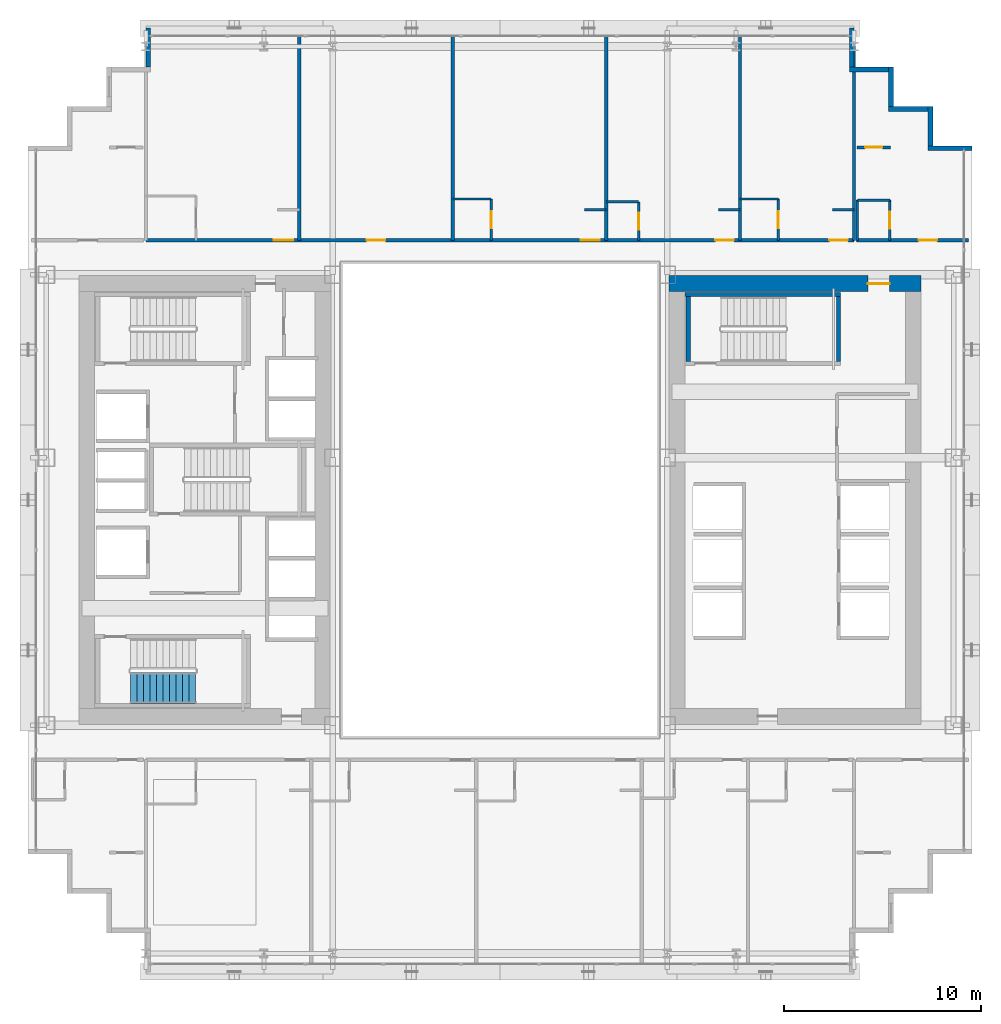
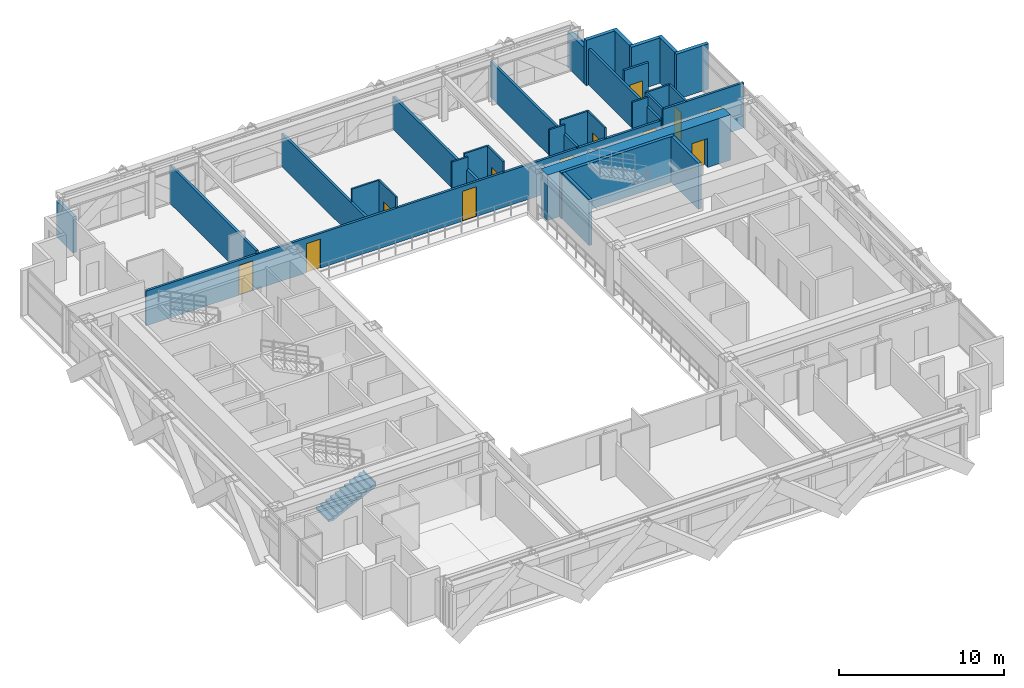
# One storey, part 30 of 35: 31 walls, 12 doors, 1 stair flight, 12 openings, 1 element without a shape of its own.
"""IFC4 building model written with IfcOpenShell, lengths in metres."""

from ifc_helpers import new_model, si_unit, direction, frame, frame_2d, origin, place, context, subcontext, project, spatial, polyline, rectangle, outline, extrude, source, transform, mapped, material, layer, layer_set, type_object, element, fill, aggregate, save


model = new_model("IFC4")

# Units and contexts
model_context = context("Model", 3, precision=1e-05, world=origin(), true_north=direction((0.0, 1.0)))
body_context = subcontext(model_context, "Body", "Model", "MODEL_VIEW")
ifc_project = project(units=[si_unit("LENGTHUNIT", "METRE"), si_unit("AREAUNIT", "SQUARE_METRE"), si_unit("VOLUMEUNIT", "CUBIC_METRE"), si_unit("PLANEANGLEUNIT", "RADIAN"), si_unit("MASSUNIT", "GRAM", prefix="KILO")], contexts=[model_context])

# Site, building, storey
site_placement = place(None, origin())
site = spatial("IfcSite", under=ifc_project, at=site_placement, CompositionType="ELEMENT")
building_placement = place(site_placement, origin())
building = spatial("IfcBuilding", under=site, at=building_placement, Name="Ocotamira Hotel", CompositionType="ELEMENT")
storey_placement = place(building_placement, frame((0.0, 0.0, 56.39990234375)))
storey = spatial("IfcBuildingStorey", under=building, at=storey_placement, Name="L13", CompositionType="ELEMENT", Elevation=56.39990234375)

# Wall, opening, door
ifc_material_1 = material(Name="Concrete C60/75", Category="concrete")
ifc_layer_1 = layer(ifc_material_1, 0.800048828125)
ifc_layer_set_1 = layer_set([ifc_layer_1], Name="Concrete C60/75")
wall_type_1 = type_object("IfcWallType", Name="WL-CORE-800", PredefinedType="SHEAR", material=ifc_layer_set_1)
wall_1_placement = place(storey_placement, frame((40.60009765625, 37.0, 0.0), z_axis=(0.0, 0.0, 1.0), x_axis=(1.0, 0.0, 0.0)))
wall_1 = element("IfcWall", 1, at=wall_1_placement, inside=storey, type_object=wall_type_1, Name="L13 Shear Core Wall ECORE-N", PredefinedType="SHEAR", context=body_context, shape_type="SweptSolid", body=[
    extrude(rectangle(XDim=12.7998046875, YDim=0.800048828125, at=frame_2d((6.39990234375, 0.0))), origin(), (0.0, 0.0, 1.0), 3.35009765625),
])
opening_1_placement = place(wall_1_placement, frame((10.10009765625, 0.0, 0.0)))
opening_1 = element("IfcOpeningElement", 2, at=opening_1_placement, cuts=wall_1, Name="Opening D-FR1", PredefinedType="OPENING", context=body_context, shape_type="SweptSolid", body=[
    extrude(rectangle(XDim=1.10009765625, YDim=2.14990234375, at=frame_2d((0.550048828125, 1.074951171875))), frame((0.0, 0.41015625, 0.0), z_axis=(0.0, -1.0, 0.0), x_axis=(1.0, 0.0, 0.0)), (0.0, 0.0, 1.0), 0.820068359375),
])
ifc_material_2 = material(Name="Fire-rated acoustic timber-veneer door", Category="wood")
door_type_1 = type_object("IfcDoorType", Name="DR-FIRE-1100", OperationType="NOTDEFINED", PredefinedType="DOOR", material=ifc_material_2)
shared_shape_1 = source(origin(), body_context, "Body", "SweptSolid", [
    extrude(rectangle(XDim=1.10009765625, YDim=2.14990234375, at=frame_2d((0.550048828125, 1.074951171875))), frame((0.0, 0.02490234375, 0.0), z_axis=(0.0, -1.0, 0.0), x_axis=(1.0, 0.0, 0.0)), (0.0, 0.0, 1.0), 0.050048828125),
])
door_1_placement = place(opening_1_placement, origin())
door_1 = element("IfcDoor", 3, at=door_1_placement, inside=storey, type_object=door_type_1, Name="L13 Door ID-L13-ELOB-N-D [ID-L13-ELOB-N-D]", OperationType="SINGLE_SWING_LEFT", OverallHeight=2.14990234375, OverallWidth=1.10009765625, PredefinedType="DOOR", context=body_context, shape_type="MappedRepresentation", body=[
    mapped(shared_shape_1, transform((0.0, 0.0, 0.0), scale=1.0)),
])
fill(opening_1, door_1)

# Walls
ifc_material_3 = material(Name="Precast concrete C45/55", Category="concrete")
ifc_layer_2 = layer(ifc_material_3, 0.25)
ifc_layer_set_2 = layer_set([ifc_layer_2], Name="Precast concrete C45/55")
wall_type_2 = type_object("IfcWallType", Name="WL-EXT-SER-250", PredefinedType="SOLIDWALL", material=ifc_layer_set_2)
wall_2_placement = place(storey_placement, frame((56.0, 43.875, 0.0), z_axis=(0.0, 0.0, 1.0), x_axis=(-1.0, 0.0, 0.0)))
element("IfcWall", 4, at=wall_2_placement, inside=storey, type_object=wall_type_2, Name="L13 Serrated Corner Wall 07", PredefinedType="SOLIDWALL", context=body_context, shape_type="SweptSolid", body=[
    extrude(rectangle(XDim=2.25, YDim=0.25, at=frame_2d((1.125, 0.0))), origin(), (0.0, 0.0, 1.0), 3.35009765625),
])
for number, where, z_axis, x_axis, name in (
    (5, (53.875, 44.0, 0.0), (0.0, 0.0, 1.0), (0.0, 1.0, 0.0), "L13 Serrated Corner Wall 08"),
    (6, (53.75, 45.875, 0.0), (0.0, 0.0, 1.0), (-1.0, 0.0, 0.0), "L13 Serrated Corner Wall 09"),
    (7, (51.875, 46.0, 0.0), (0.0, 0.0, 1.0), (0.0, 1.0, 0.0), "L13 Serrated Corner Wall 10"),
    (8, (51.75, 47.875, 0.0), (0.0, 0.0, 1.0), (-1.0, 0.0, 0.0), "L13 Serrated Corner Wall 11"),
):
    element("IfcWall", number, at=place(storey_placement, frame(where, z_axis=z_axis, x_axis=x_axis)), inside=storey, type_object=wall_type_2, Name=name, PredefinedType="SOLIDWALL", context=body_context, shape_type="SweptSolid", body=[
        extrude(rectangle(XDim=2.0, YDim=0.25, at=frame_2d((1.0, 0.0))), origin(), (0.0, 0.0, 1.0), 3.35009765625),
    ])
for number, where, z_axis, x_axis, name in (
    (9, (49.875, 48.0, 0.0), (0.0, 0.0, 1.0), (0.0, 1.0, 0.0), "L13 Serrated Corner Wall 12"),
    (10, (14.125, 50.0, 0.0), (0.0, 0.0, 1.0), (0.0, -1.0, 0.0), "L13 Serrated Corner Wall 13"),
):
    element("IfcWall", number, at=place(storey_placement, frame(where, z_axis=z_axis, x_axis=x_axis)), inside=storey, type_object=wall_type_2, Name=name, PredefinedType="SOLIDWALL", context=body_context, shape_type="SweptSolid", body=[
        extrude(rectangle(XDim=2.0, YDim=0.25, at=frame_2d((1.0, 0.0))), origin(), (0.0, 0.0, 1.0), 2.656982421875),
    ])

# Wall, opening, door
ifc_material_4 = material(Name="Acoustic double-layer fire gypsum board partition", Category="gypsum")
ifc_layer_3 = layer(ifc_material_4, 0.159912109375)
ifc_layer_set_3 = layer_set([ifc_layer_3], Name="Acoustic double-layer fire gypsum board partition")
wall_type_3 = type_object("IfcWallType", Name="WL-FIRE-160", PredefinedType="PARTITIONING", material=ifc_layer_set_3)
wall_3_placement = place(storey_placement, frame((50.1201171875, 39.199951171875, 0.0), z_axis=(0.0, 0.0, 1.0), x_axis=(1.0, 0.0, 0.0)))
wall_3 = element("IfcWall", 11, at=wall_3_placement, inside=storey, type_object=wall_type_3, Name="L13 Interior Wall PW-L13-Z1C-CNE-CW", PredefinedType="PARTITIONING", context=body_context, shape_type="SweptSolid", body=[
    extrude(rectangle(XDim=5.679931640625, YDim=0.159912109375, at=frame_2d((2.83984375, 0.0))), origin(), (0.0, 0.0, 1.0), 3.35009765625),
])
opening_2_placement = place(wall_3_placement, frame((3.14990234375, 0.0, 0.0)))
opening_2 = element("IfcOpeningElement", 12, at=opening_2_placement, cuts=wall_3, Name="Opening D-GR1", PredefinedType="OPENING", context=body_context, shape_type="SweptSolid", body=[
    extrude(rectangle(XDim=0.93994140625, YDim=2.14990234375, at=frame_2d((0.469970703125, 1.074951171875))), frame((0.0, 0.08984375, 0.0), z_axis=(0.0, -1.0, 0.0), x_axis=(1.0, 0.0, 0.0)), (0.0, 0.0, 1.0), 0.179931640625),
])
ifc_material_5 = material(Name="Solid-core walnut suite entrance fire door", Category="wood")
door_type_2 = type_object("IfcDoorType", Name="DR-GUEST-940", OperationType="NOTDEFINED", PredefinedType="DOOR", material=ifc_material_5)
shared_shape_2 = source(origin(), body_context, "Body", "SweptSolid", [
    extrude(rectangle(XDim=0.93994140625, YDim=2.14990234375, at=frame_2d((0.469970703125, 1.074951171875))), frame((0.0, 0.02490234375, 0.0), z_axis=(0.0, -1.0, 0.0), x_axis=(1.0, 0.0, 0.0)), (0.0, 0.0, 1.0), 0.050048828125),
])
door_2_placement = place(opening_2_placement, origin())
door_2 = element("IfcDoor", 13, at=door_2_placement, inside=storey, type_object=door_type_2, Name="L13 Door ID-L13-Z1C-CNE-CD [ID-L13-Z1C-CNE-CD]", OperationType="SINGLE_SWING_RIGHT", OverallHeight=2.14990234375, OverallWidth=0.93994140625, PredefinedType="DOOR", context=body_context, shape_type="MappedRepresentation", body=[
    mapped(shared_shape_2, transform((0.0, 0.0, 0.0), scale=1.0)),
])
fill(opening_2, door_2)

wall_4_placement = place(storey_placement, frame((50.14990234375, 43.919921875, 0.0), z_axis=(0.0, 0.0, 1.0), x_axis=(1.0, 0.0, 0.0)))
wall_4 = element("IfcWall", 14, at=wall_4_placement, inside=storey, type_object=wall_type_3, Name="L13 Interior Wall PW-L13-Z1C-CNE2-CW", PredefinedType="PARTITIONING", context=body_context, shape_type="SweptSolid", body=[
    extrude(rectangle(XDim=1.7001953125, YDim=0.159912109375, at=frame_2d((0.85009765625, 0.0))), origin(), (0.0, 0.0, 1.0), 3.35009765625),
])
opening_3_placement = place(wall_4_placement, frame((0.409912109375, 0.0, 0.0)))
opening_3 = element("IfcOpeningElement", 15, at=opening_3_placement, cuts=wall_4, Name="Opening D-SV2", PredefinedType="OPENING", context=body_context, shape_type="SweptSolid", body=[
    extrude(rectangle(XDim=0.8798828125, YDim=2.14990234375, at=frame_2d((0.43994140625, 1.074951171875))), frame((0.0, 0.08984375, 0.0), z_axis=(0.0, -1.0, 0.0), x_axis=(1.0, 0.0, 0.0)), (0.0, 0.0, 1.0), 0.179931640625),
])
ifc_material_6 = material(Name="Fire-rated painted steel service door", Category="steel")
door_type_3 = type_object("IfcDoorType", Name="DR-SERV-880", OperationType="NOTDEFINED", PredefinedType="DOOR", material=ifc_material_6)
shared_shape_3 = source(origin(), body_context, "Body", "SweptSolid", [
    extrude(rectangle(XDim=0.8798828125, YDim=2.14990234375, at=frame_2d((0.43994140625, 1.074951171875))), frame((0.0, 0.02490234375, 0.0), z_axis=(0.0, -1.0, 0.0), x_axis=(1.0, 0.0, 0.0)), (0.0, 0.0, 1.0), 0.050048828125),
])
door_3_placement = place(opening_3_placement, origin())
door_3 = element("IfcDoor", 16, at=door_3_placement, inside=storey, type_object=door_type_3, Name="L13 Door ID-L13-Z1C-CNE2-CD [ID-L13-Z1C-CNE2-CD]", OperationType="SINGLE_SWING_LEFT", OverallHeight=2.14990234375, OverallWidth=0.8798828125, PredefinedType="DOOR", context=body_context, shape_type="MappedRepresentation", body=[
    mapped(shared_shape_3, transform((0.0, 0.0, 0.0), scale=1.0)),
])
fill(opening_3, door_3)

# Wall, openings, doors
wall_5_placement = place(storey_placement, frame((14.0, 39.199951171875, 0.0), z_axis=(0.0, 0.0, 1.0), x_axis=(1.0, 0.0, 0.0)))
wall_5 = element("IfcWall", 17, at=wall_5_placement, inside=storey, type_object=wall_type_3, Name="L13 Interior Wall PW-L13-Z1CN-CORRW", PredefinedType="PARTITIONING", context=body_context, shape_type="SweptSolid", body=[
    extrude(rectangle(XDim=36.0, YDim=0.159912109375, at=frame_2d((18.0, 0.0))), origin(), (0.0, 0.0, 1.0), 2.571044921875),
])
opening_4_placement = place(wall_5_placement, frame((6.5, 0.0, 0.0)))
opening_4 = element("IfcOpeningElement", 18, at=opening_4_placement, cuts=wall_5, Name="Opening D-GR2", PredefinedType="OPENING", context=body_context, shape_type="SweptSolid", body=[
    extrude(rectangle(XDim=0.97998046875, YDim=2.199951171875, at=frame_2d((0.489990234375, 1.10009765625))), frame((0.0, 0.08984375, 0.0), z_axis=(0.0, -1.0, 0.0), x_axis=(1.0, 0.0, 0.0)), (0.0, 0.0, 1.0), 0.179931640625),
])
opening_5_placement = place(wall_5_placement, frame((11.219970703125, 0.0, 0.0)))
opening_5 = element("IfcOpeningElement", 19, at=opening_5_placement, cuts=wall_5, Name="Opening D-SV4", PredefinedType="OPENING", context=body_context, shape_type="SweptSolid", body=[
    extrude(rectangle(XDim=0.9599609375, YDim=2.14990234375, at=frame_2d((0.47998046875, 1.074951171875))), frame((0.0, 0.08984375, 0.0), z_axis=(0.0, -1.0, 0.0), x_axis=(1.0, 0.0, 0.0)), (0.0, 0.0, 1.0), 0.179931640625),
])
opening_6_placement = place(wall_5_placement, frame((22.10009765625, 0.0, 0.0)))
opening_6 = element("IfcOpeningElement", 20, at=opening_6_placement, cuts=wall_5, Name="Opening D-GR2", PredefinedType="OPENING", context=body_context, shape_type="SweptSolid", body=[
    extrude(rectangle(XDim=0.97998046875, YDim=2.199951171875, at=frame_2d((0.489990234375, 1.10009765625))), frame((0.0, 0.08984375, 0.0), z_axis=(0.0, -1.0, 0.0), x_axis=(1.0, 0.0, 0.0)), (0.0, 0.0, 1.0), 0.179931640625),
])
opening_7_placement = place(wall_5_placement, frame((28.93994140625, 0.0, 0.0)))
opening_7 = element("IfcOpeningElement", 21, at=opening_7_placement, cuts=wall_5, Name="Opening D-GR1", PredefinedType="OPENING", context=body_context, shape_type="SweptSolid", body=[
    extrude(rectangle(XDim=0.93994140625, YDim=2.14990234375, at=frame_2d((0.469970703125, 1.074951171875))), frame((0.0, 0.08984375, 0.0), z_axis=(0.0, -1.0, 0.0), x_axis=(1.0, 0.0, 0.0)), (0.0, 0.0, 1.0), 0.179931640625),
])
opening_8_placement = place(wall_5_placement, frame((34.739990234375, 0.0, 0.0)))
opening_8 = element("IfcOpeningElement", 22, at=opening_8_placement, cuts=wall_5, Name="Opening D-GR1", PredefinedType="OPENING", context=body_context, shape_type="SweptSolid", body=[
    extrude(rectangle(XDim=0.93994140625, YDim=2.14990234375, at=frame_2d((0.469970703125, 1.074951171875))), frame((0.0, 0.08984375, 0.0), z_axis=(0.0, -1.0, 0.0), x_axis=(1.0, 0.0, 0.0)), (0.0, 0.0, 1.0), 0.179931640625),
])
ifc_material_7 = material(Name="Fire-rated accessible walnut salon door", Category="wood")
door_type_4 = type_object("IfcDoorType", Name="DR-SERV-960", OperationType="NOTDEFINED", PredefinedType="DOOR", material=ifc_material_7)
shared_shape_4 = source(origin(), body_context, "Body", "SweptSolid", [
    extrude(rectangle(XDim=0.9599609375, YDim=2.14990234375, at=frame_2d((0.47998046875, 1.074951171875))), frame((0.0, 0.02490234375, 0.0), z_axis=(0.0, -1.0, 0.0), x_axis=(1.0, 0.0, 0.0)), (0.0, 0.0, 1.0), 0.050048828125),
])
door_4_placement = place(opening_5_placement, origin())
door_4 = element("IfcDoor", 23, at=door_4_placement, inside=storey, type_object=door_type_4, Name="L13 Door ID-L13-Z1CN-AMD2 [ID-L13-Z1CN-AMD2]", OperationType="SINGLE_SWING_RIGHT", OverallHeight=2.14990234375, OverallWidth=0.9599609375, PredefinedType="DOOR", context=body_context, shape_type="MappedRepresentation", body=[
    mapped(shared_shape_4, transform((0.0, 0.0, 0.0), scale=1.0)),
])
fill(opening_5, door_4)
door_5_placement = place(opening_7_placement, origin())
door_5 = element("IfcDoor", 24, at=door_5_placement, inside=storey, type_object=door_type_2, Name="L13 Door ID-L13-Z1CN-RMD4 [ID-L13-Z1CN-RMD4]", OperationType="SINGLE_SWING_RIGHT", OverallHeight=2.14990234375, OverallWidth=0.93994140625, PredefinedType="DOOR", context=body_context, shape_type="MappedRepresentation", body=[
    mapped(shared_shape_2, transform((0.0, 0.0, 0.0), scale=1.0)),
])
fill(opening_7, door_5)
door_6_placement = place(opening_8_placement, origin())
door_6 = element("IfcDoor", 25, at=door_6_placement, inside=storey, type_object=door_type_2, Name="L13 Door ID-L13-Z1CN-RMD5 [ID-L13-Z1CN-RMD5]", OperationType="SINGLE_SWING_LEFT", OverallHeight=2.14990234375, OverallWidth=0.93994140625, PredefinedType="DOOR", context=body_context, shape_type="MappedRepresentation", body=[
    mapped(shared_shape_2, transform((0.0, 0.0, 0.0), scale=1.0)),
])
fill(opening_8, door_6)
ifc_material_8 = material(Name="Solid-core walnut grand-suite entrance fire door", Category="wood")
door_type_5 = type_object("IfcDoorType", Name="DR-GUEST-980", OperationType="NOTDEFINED", PredefinedType="DOOR", material=ifc_material_8)
shared_shape_5 = source(origin(), body_context, "Body", "SweptSolid", [
    extrude(rectangle(XDim=0.97998046875, YDim=2.199951171875, at=frame_2d((0.489990234375, 1.10009765625))), frame((0.0, 0.02490234375, 0.0), z_axis=(0.0, -1.0, 0.0), x_axis=(1.0, 0.0, 0.0)), (0.0, 0.0, 1.0), 0.050048828125),
])
door_7_placement = place(opening_4_placement, origin())
door_7 = element("IfcDoor", 26, at=door_7_placement, inside=storey, type_object=door_type_5, Name="L13 Door ID-L13-Z1CN-RMD1 [ID-L13-Z1CN-RMD1]", OperationType="SINGLE_SWING_LEFT", OverallHeight=2.199951171875, OverallWidth=0.97998046875, PredefinedType="DOOR", context=body_context, shape_type="MappedRepresentation", body=[
    mapped(shared_shape_5, transform((0.0, 0.0, 0.0), scale=1.0)),
])
fill(opening_4, door_7)
door_8_placement = place(opening_6_placement, origin())
door_8 = element("IfcDoor", 27, at=door_8_placement, inside=storey, type_object=door_type_5, Name="L13 Door ID-L13-Z1CN-RMD3 [ID-L13-Z1CN-RMD3]", OperationType="SINGLE_SWING_LEFT", OverallHeight=2.199951171875, OverallWidth=0.97998046875, PredefinedType="DOOR", context=body_context, shape_type="MappedRepresentation", body=[
    mapped(shared_shape_5, transform((0.0, 0.0, 0.0), scale=1.0)),
])
fill(opening_6, door_8)

# Wall, opening, door
ifc_material_9 = material(Name="Moisture-resistant en-suite tile and gypsum partition", Category="gypsum")
ifc_layer_4 = layer(ifc_material_9, 0.1201171875)
ifc_layer_set_4 = layer_set([ifc_layer_4], Name="Moisture-resistant en-suite tile and gypsum partition")
wall_type_4 = type_object("IfcWallType", Name="WL-PART-120", PredefinedType="PARTITIONING", material=ifc_layer_set_4)
wall_6_placement = place(storey_placement, frame((51.81005859375, 39.199951171875, 0.0), z_axis=(0.0, 0.0, 1.0), x_axis=(0.0, 1.0, 0.0)))
wall_6 = element("IfcWall", 28, at=wall_6_placement, inside=storey, type_object=wall_type_4, Name="L13 Interior Wall PW-L13-Z1C-CNE-BE", PredefinedType="PARTITIONING", context=body_context, shape_type="SweptSolid", body=[
    extrude(rectangle(XDim=2.0400390625, YDim=0.1201171875, at=frame_2d((1.02001953125, 0.0))), origin(), (0.0, 0.0, 1.0), 3.35009765625),
])
opening_9_placement = place(wall_6_placement, frame((0.590087890625, 0.0, 0.0)))
opening_9 = element("IfcOpeningElement", 29, at=opening_9_placement, cuts=wall_6, Name="Opening D-BA1", PredefinedType="OPENING", context=body_context, shape_type="SweptSolid", body=[
    extrude(rectangle(XDim=0.860107421875, YDim=2.10009765625, at=frame_2d((0.43017578125, 1.050048828125))), frame((0.0, 0.070068359375, 0.0), z_axis=(0.0, -1.0, 0.0), x_axis=(1.0, 0.0, 0.0)), (0.0, 0.0, 1.0), 0.14013671875),
])
ifc_material_10 = material(Name="Moisture-sealed en-suite timber door", Category="wood")
door_type_6 = type_object("IfcDoorType", Name="DR-BATH-860", OperationType="NOTDEFINED", PredefinedType="DOOR", material=ifc_material_10)
shared_shape_6 = source(origin(), body_context, "Body", "SweptSolid", [
    extrude(rectangle(XDim=0.860107421875, YDim=2.10009765625, at=frame_2d((0.43017578125, 1.050048828125))), frame((0.0, 0.02490234375, 0.0), z_axis=(0.0, -1.0, 0.0), x_axis=(1.0, 0.0, 0.0)), (0.0, 0.0, 1.0), 0.050048828125),
])
door_9_placement = place(opening_9_placement, origin())
door_9 = element("IfcDoor", 30, at=door_9_placement, inside=storey, type_object=door_type_6, Name="L13 Door ID-L13-Z1C-CNE-BD [ID-L13-Z1C-CNE-BD]", OperationType="SINGLE_SWING_LEFT", OverallHeight=2.10009765625, OverallWidth=0.860107421875, PredefinedType="DOOR", context=body_context, shape_type="MappedRepresentation", body=[
    mapped(shared_shape_6, transform((0.0, 0.0, 0.0), scale=1.0)),
])
fill(opening_9, door_9)

# Walls
wall_7_placement = place(storey_placement, frame((50.159912109375, 39.199951171875, 0.0), z_axis=(0.0, 0.0, 1.0), x_axis=(0.0, 1.0, 0.0)))
element("IfcWall", 31, at=wall_7_placement, inside=storey, type_object=wall_type_4, Name="L13 Interior Wall PW-L13-Z1C-CNE-BW", PredefinedType="PARTITIONING", context=body_context, shape_type="SweptSolid", body=[
    extrude(rectangle(XDim=2.0400390625, YDim=0.1201171875, at=frame_2d((1.02001953125, 0.0))), origin(), (0.0, 0.0, 1.0), 3.35009765625),
])
wall_8_placement = place(storey_placement, frame((50.159912109375, 41.239990234375, 0.0), z_axis=(0.0, 0.0, 1.0), x_axis=(1.0, 0.0, 0.0)))
element("IfcWall", 32, at=wall_8_placement, inside=storey, type_object=wall_type_4, Name="L13 Interior Wall PW-L13-Z1C-CNE-BH", PredefinedType="PARTITIONING", context=body_context, shape_type="SweptSolid", body=[
    extrude(rectangle(XDim=1.650146484375, YDim=0.1201171875, at=frame_2d((0.8251953125, 0.0))), origin(), (0.0, 0.0, 1.0), 3.35009765625),
])

# Wall, opening, door
wall_9_placement = place(storey_placement, frame((31.550048828125, 39.199951171875, 0.0), z_axis=(0.0, 0.0, 1.0), x_axis=(0.0, 1.0, 0.0)))
wall_9 = element("IfcWall", 33, at=wall_9_placement, inside=storey, type_object=wall_type_4, Name="L13 Interior Wall PW-L13-Z1CN-BAE3", PredefinedType="PARTITIONING", context=body_context, shape_type="SweptSolid", body=[
    extrude(rectangle(XDim=2.10009765625, YDim=0.1201171875, at=frame_2d((1.050048828125, 0.0))), origin(), (0.0, 0.0, 1.0), 3.35009765625),
])
opening_10_placement = place(wall_9_placement, frame((0.6201171875, 0.0, 0.0)))
opening_10 = element("IfcOpeningElement", 34, at=opening_10_placement, cuts=wall_9, Name="Opening D-BA1", PredefinedType="OPENING", context=body_context, shape_type="SweptSolid", body=[
    extrude(rectangle(XDim=0.860107421875, YDim=2.10009765625, at=frame_2d((0.43017578125, 1.050048828125))), frame((0.0, 0.070068359375, 0.0), z_axis=(0.0, -1.0, 0.0), x_axis=(1.0, 0.0, 0.0)), (0.0, 0.0, 1.0), 0.14013671875),
])
door_10_placement = place(opening_10_placement, origin())
door_10 = element("IfcDoor", 35, at=door_10_placement, inside=storey, type_object=door_type_6, Name="L13 Door ID-L13-Z1CN-BAD3 [ID-L13-Z1CN-BAD3]", OperationType="SINGLE_SWING_RIGHT", OverallHeight=2.10009765625, OverallWidth=0.860107421875, PredefinedType="DOOR", context=body_context, shape_type="MappedRepresentation", body=[
    mapped(shared_shape_6, transform((0.0, 0.0, 0.0), scale=1.0)),
])
fill(opening_10, door_10)

# Walls
wall_10_placement = place(storey_placement, frame((29.60009765625, 41.300048828125, 0.0), z_axis=(0.0, 0.0, 1.0), x_axis=(1.0, 0.0, 0.0)))
element("IfcWall", 36, at=wall_10_placement, inside=storey, type_object=wall_type_4, Name="L13 Interior Wall PW-L13-Z1CN-BAN3", PredefinedType="PARTITIONING", context=body_context, shape_type="SweptSolid", body=[
    extrude(rectangle(XDim=1.949951171875, YDim=0.1201171875, at=frame_2d((0.97509765625, 0.0))), origin(), (0.0, 0.0, 1.0), 3.35009765625),
])
wall_11_placement = place(storey_placement, frame((36.300048828125, 40.75, 0.0), z_axis=(0.0, 0.0, 1.0), x_axis=(1.0, 0.0, 0.0)))
element("IfcWall", 37, at=wall_11_placement, inside=storey, type_object=wall_type_4, Name="L13 Interior Wall PW-L13-Z1CN-DRN3", PredefinedType="PARTITIONING", context=body_context, shape_type="SweptSolid", body=[
    extrude(rectangle(XDim=1.099853515625, YDim=0.1201171875, at=frame_2d((0.5498046875, 0.0))), origin(), (0.0, 0.0, 1.0), 3.35009765625),
])

# Wall, opening, door
wall_12_placement = place(storey_placement, frame((39.050048828125, 39.199951171875, 0.0), z_axis=(0.0, 0.0, 1.0), x_axis=(0.0, 1.0, 0.0)))
wall_12 = element("IfcWall", 38, at=wall_12_placement, inside=storey, type_object=wall_type_4, Name="L13 Interior Wall PW-L13-Z1CN-BAE4", PredefinedType="PARTITIONING", context=body_context, shape_type="SweptSolid", body=[
    extrude(rectangle(XDim=1.949951171875, YDim=0.1201171875, at=frame_2d((0.97509765625, 0.0))), origin(), (0.0, 0.0, 1.0), 3.35009765625),
])
opening_11_placement = place(wall_12_placement, frame((0.544921875, 0.0, 0.0)))
opening_11 = element("IfcOpeningElement", 39, at=opening_11_placement, cuts=wall_12, Name="Opening D-BA1", PredefinedType="OPENING", context=body_context, shape_type="SweptSolid", body=[
    extrude(rectangle(XDim=0.860107421875, YDim=2.10009765625, at=frame_2d((0.43017578125, 1.050048828125))), frame((0.0, 0.070068359375, 0.0), z_axis=(0.0, -1.0, 0.0), x_axis=(1.0, 0.0, 0.0)), (0.0, 0.0, 1.0), 0.14013671875),
])
door_11_placement = place(opening_11_placement, origin())
door_11 = element("IfcDoor", 40, at=door_11_placement, inside=storey, type_object=door_type_6, Name="L13 Door ID-L13-Z1CN-BAD4 [ID-L13-Z1CN-BAD4]", OperationType="SINGLE_SWING_LEFT", OverallHeight=2.10009765625, OverallWidth=0.860107421875, PredefinedType="DOOR", context=body_context, shape_type="MappedRepresentation", body=[
    mapped(shared_shape_6, transform((0.0, 0.0, 0.0), scale=1.0)),
])
fill(opening_11, door_11)

# Walls
wall_13_placement = place(storey_placement, frame((37.39990234375, 41.14990234375, 0.0), z_axis=(0.0, 0.0, 1.0), x_axis=(1.0, 0.0, 0.0)))
element("IfcWall", 41, at=wall_13_placement, inside=storey, type_object=wall_type_4, Name="L13 Interior Wall PW-L13-Z1CN-BAN4", PredefinedType="PARTITIONING", context=body_context, shape_type="SweptSolid", body=[
    extrude(rectangle(XDim=1.650146484375, YDim=0.1201171875, at=frame_2d((0.8251953125, 0.0))), origin(), (0.0, 0.0, 1.0), 3.35009765625),
])
wall_14_placement = place(storey_placement, frame((43.10009765625, 40.75, 0.0), z_axis=(0.0, 0.0, 1.0), x_axis=(1.0, 0.0, 0.0)))
element("IfcWall", 42, at=wall_14_placement, inside=storey, type_object=wall_type_4, Name="L13 Interior Wall PW-L13-Z1CN-DRN4", PredefinedType="PARTITIONING", context=body_context, shape_type="SweptSolid", body=[
    extrude(rectangle(XDim=1.099853515625, YDim=0.1201171875, at=frame_2d((0.5498046875, 0.0))), origin(), (0.0, 0.0, 1.0), 3.35009765625),
])

# Wall, opening, door
wall_15_placement = place(storey_placement, frame((46.14990234375, 39.199951171875, 0.0), z_axis=(0.0, 0.0, 1.0), x_axis=(0.0, 1.0, 0.0)))
wall_15 = element("IfcWall", 43, at=wall_15_placement, inside=storey, type_object=wall_type_4, Name="L13 Interior Wall PW-L13-Z1CN-BAE5", PredefinedType="PARTITIONING", context=body_context, shape_type="SweptSolid", body=[
    extrude(rectangle(XDim=2.10009765625, YDim=0.1201171875, at=frame_2d((1.050048828125, 0.0))), origin(), (0.0, 0.0, 1.0), 3.35009765625),
])
opening_12_placement = place(wall_15_placement, frame((0.6201171875, 0.0, 0.0)))
opening_12 = element("IfcOpeningElement", 44, at=opening_12_placement, cuts=wall_15, Name="Opening D-BA1", PredefinedType="OPENING", context=body_context, shape_type="SweptSolid", body=[
    extrude(rectangle(XDim=0.860107421875, YDim=2.10009765625, at=frame_2d((0.43017578125, 1.050048828125))), frame((0.0, 0.070068359375, 0.0), z_axis=(0.0, -1.0, 0.0), x_axis=(1.0, 0.0, 0.0)), (0.0, 0.0, 1.0), 0.14013671875),
])
door_12_placement = place(opening_12_placement, origin())
door_12 = element("IfcDoor", 45, at=door_12_placement, inside=storey, type_object=door_type_6, Name="L13 Door ID-L13-Z1CN-BAD5 [ID-L13-Z1CN-BAD5]", OperationType="SINGLE_SWING_RIGHT", OverallHeight=2.10009765625, OverallWidth=0.860107421875, PredefinedType="DOOR", context=body_context, shape_type="MappedRepresentation", body=[
    mapped(shared_shape_6, transform((0.0, 0.0, 0.0), scale=1.0)),
])
fill(opening_12, door_12)

# Walls
wall_16_placement = place(storey_placement, frame((44.199951171875, 41.300048828125, 0.0), z_axis=(0.0, 0.0, 1.0), x_axis=(1.0, 0.0, 0.0)))
element("IfcWall", 46, at=wall_16_placement, inside=storey, type_object=wall_type_4, Name="L13 Interior Wall PW-L13-Z1CN-BAN5", PredefinedType="PARTITIONING", context=body_context, shape_type="SweptSolid", body=[
    extrude(rectangle(XDim=1.949951171875, YDim=0.1201171875, at=frame_2d((0.97509765625, 0.0))), origin(), (0.0, 0.0, 1.0), 3.35009765625),
])
wall_17_placement = place(storey_placement, frame((48.89990234375, 40.75, 0.0), z_axis=(0.0, 0.0, 1.0), x_axis=(1.0, 0.0, 0.0)))
element("IfcWall", 47, at=wall_17_placement, inside=storey, type_object=wall_type_4, Name="L13 Interior Wall PW-L13-Z1CN-DRN5", PredefinedType="PARTITIONING", context=body_context, shape_type="SweptSolid", body=[
    extrude(rectangle(XDim=1.10009765625, YDim=0.1201171875, at=frame_2d((0.550048828125, 0.0))), origin(), (0.0, 0.0, 1.0), 3.35009765625),
])
ifc_material_11 = material(Name="Acoustic double-stud hospitality gypsum partition", Category="gypsum")
ifc_layer_5 = layer(ifc_material_11, 0.159912109375)
ifc_layer_set_5 = layer_set([ifc_layer_5], Name="Acoustic double-stud hospitality gypsum partition")
wall_type_5 = type_object("IfcWallType", Name="WL-PART-160", PredefinedType="PARTITIONING", material=ifc_layer_set_5)
wall_18_placement = place(storey_placement, frame((50.0, 39.199951171875, 0.0), z_axis=(0.0, 0.0, 1.0), x_axis=(0.0, 1.0, 0.0)))
element("IfcWall", 48, at=wall_18_placement, inside=storey, type_object=wall_type_5, Name="L13 Interior Wall PW-L13-Z1CN-PWEND", PredefinedType="PARTITIONING", context=body_context, shape_type="SweptSolid", body=[
    extrude(rectangle(XDim=10.43994140625, YDim=0.159912109375, at=frame_2d((5.219970703125, 0.0))), origin(), (0.0, 0.0, 1.0), 2.656982421875),
])
wall_19_placement = place(storey_placement, frame((29.60009765625, 39.199951171875, 0.0), z_axis=(0.0, 0.0, 1.0), x_axis=(0.0, 1.0, 0.0)))
element("IfcWall", 49, at=wall_19_placement, inside=storey, type_object=wall_type_5, Name="L13 Interior Wall PW-L13-Z1CN-PW2", PredefinedType="PARTITIONING", context=body_context, shape_type="SweptSolid", body=[
    extrude(rectangle(XDim=10.43994140625, YDim=0.159912109375, at=frame_2d((5.219970703125, 0.0))), origin(), (0.0, 0.0, 1.0), 2.423095703125),
])
wall_20_placement = place(storey_placement, frame((44.199951171875, 39.199951171875, 0.0), z_axis=(0.0, 0.0, 1.0), x_axis=(0.0, 1.0, 0.0)))
element("IfcWall", 50, at=wall_20_placement, inside=storey, type_object=wall_type_5, Name="L13 Interior Wall PW-L13-Z1CN-PW4", PredefinedType="PARTITIONING", context=body_context, shape_type="SweptSolid", body=[
    extrude(rectangle(XDim=10.43994140625, YDim=0.159912109375, at=frame_2d((5.219970703125, 0.0))), origin(), (0.0, 0.0, 1.0), 2.656982421875),
])
ifc_material_12 = material(Name="Double-stud suite party gypsum partition", Category="gypsum")
ifc_layer_6 = layer(ifc_material_12, 0.175048828125)
ifc_layer_set_6 = layer_set([ifc_layer_6], Name="Double-stud suite party gypsum partition")
wall_type_6 = type_object("IfcWallType", Name="WL-PART-175", PredefinedType="PARTITIONING", material=ifc_layer_set_6)
wall_21_placement = place(storey_placement, frame((21.800048828125, 39.199951171875, 0.0), z_axis=(0.0, 0.0, 1.0), x_axis=(0.0, 1.0, 0.0)))
element("IfcWall", 51, at=wall_21_placement, inside=storey, type_object=wall_type_6, Name="L13 Interior Wall PW-L13-Z1CN-PW1", PredefinedType="PARTITIONING", context=body_context, shape_type="SweptSolid", body=[
    extrude(rectangle(XDim=10.43994140625, YDim=0.175048828125, at=frame_2d((5.219970703125, 0.0))), origin(), (0.0, 0.0, 1.0), 2.81298828125),
])
wall_22_placement = place(storey_placement, frame((37.39990234375, 39.199951171875, 0.0), z_axis=(0.0, 0.0, 1.0), x_axis=(0.0, 1.0, 0.0)))
element("IfcWall", 52, at=wall_22_placement, inside=storey, type_object=wall_type_6, Name="L13 Interior Wall PW-L13-Z1CN-PW3", PredefinedType="PARTITIONING", context=body_context, shape_type="SweptSolid", body=[
    extrude(rectangle(XDim=10.43994140625, YDim=0.175048828125, at=frame_2d((5.219970703125, 0.0))), origin(), (0.0, 0.0, 1.0), 2.423095703125),
])
ifc_material_13 = material(Name="Concrete C50/60", Category="concrete")
ifc_layer_7 = layer(ifc_material_13, 0.219970703125)
ifc_layer_set_7 = layer_set([ifc_layer_7], Name="Concrete C50/60")
wall_type_7 = type_object("IfcWallType", Name="WL-STAIR-220", PredefinedType="SHEAR", material=ifc_layer_set_7)
wall_23_placement = place(storey_placement, frame((41.39990234375, 36.43994140625, 0.0), z_axis=(0.0, 0.0, 1.0), x_axis=(1.0, 0.0, 0.0)))
element("IfcWall", 53, at=wall_23_placement, inside=storey, type_object=wall_type_7, Name="L13 Stair Shaft Structural Wall ST-4-N", PredefinedType="SHEAR", context=body_context, shape_type="SweptSolid", body=[
    extrude(rectangle(XDim=7.91015625, YDim=0.219970703125, at=frame_2d((3.955078125, 0.0))), origin(), (0.0, 0.0, 1.0), 3.400146484375),
])
for number, where, z_axis, x_axis, name in (
    (54, (41.56005859375, 33.050048828125, 0.0), (0.0, 0.0, 1.0), (0.0, 1.0, 0.0), "L13 Stair Shaft Structural Wall ST-4-W"),
    (55, (49.199951171875, 33.050048828125, 0.0), (0.0, 0.0, 1.0), (0.0, 1.0, 0.0), "L13 Stair Shaft Structural Wall ST-4-E"),
):
    element("IfcWall", number, at=place(storey_placement, frame(where, z_axis=z_axis, x_axis=x_axis)), inside=storey, type_object=wall_type_7, Name=name, PredefinedType="SHEAR", context=body_context, shape_type="SweptSolid", body=[
        extrude(rectangle(XDim=3.280029296875, YDim=0.219970703125, at=frame_2d((1.64013671875, 0.0))), origin(), (0.0, 0.0, 1.0), 3.400146484375),
    ])

# Stair, stair flight
ifc_material_14 = material(Name="Concrete C40/50", Category="concrete")
stair_type = type_object("IfcStairType", Name="ST-CORE-1560", PredefinedType="HALF_TURN_STAIR", material=ifc_material_14)
stair_placement = place(storey_placement, origin())
stair = element("IfcStair", 56, at=stair_placement, inside=storey, type_object=stair_type, Name="L13 Exit Stair ST-1", PredefinedType="HALF_TURN_STAIR")
stair_flight_type = type_object("IfcStairFlightType", Name="STF-CORE-1560", PredefinedType="STRAIGHT", material=ifc_material_14)
shared_shape_7 = source(origin(), body_context, "Body", "SweptSolid", [
    extrude(outline(polyline([(-0.00390625, 0.0), (-0.00390625, 0.16357421875), (0.330078125, 0.16357421875), (0.330078125, 0.327392578125), (0.659912109375, 0.327392578125), (0.659912109375, 0.490966796875), (0.989990234375, 0.490966796875), (0.989990234375, 0.654541015625), (1.320068359375, 0.654541015625), (1.320068359375, 0.818115234375), (1.64990234375, 0.818115234375), (1.64990234375, 0.98193359375), (1.97998046875, 0.98193359375), (1.97998046875, 1.1455078125), (2.31005859375, 1.1455078125), (2.31005859375, 1.30908203125), (2.639892578125, 1.30908203125), (2.639892578125, 1.47265625), (2.969970703125, 1.47265625), (2.969970703125, 1.636474609375), (3.300048828125, 1.636474609375), (3.300048828125, 1.800048828125), (3.303955078125, 1.800048828125), (3.303955078125, 1.468994140625), (0.33740234375, 0.0), (-0.00390625, 0.0)])), frame((0.0, 0.780029296875, 0.0), z_axis=(0.0, -1.0, 0.0), x_axis=(1.0, 0.0, 0.0)), (0.0, 0.0, 1.0), 1.56005859375),
])
stair_flight_placement = place(storey_placement, frame((13.22998046875, 16.449951171875, 0.0), z_axis=(0.0, 0.0, 1.0), x_axis=(1.0, 0.0, 0.0)))
stair_flight = element("IfcStairFlight", 57, at=stair_flight_placement, type_object=stair_flight_type, Name="ST-1 flight 1", NumberOfRisers=11, NumberOfTreads=10, PredefinedType="STRAIGHT", RiserHeight=0.163636364, TreadLength=0.33, context=body_context, shape_type="MappedRepresentation", body=[
    mapped(shared_shape_7, transform((0.0, 0.0, 0.0), scale=1.0)),
])
aggregate(stair, [stair_flight])

save(model, "model.ifc")
